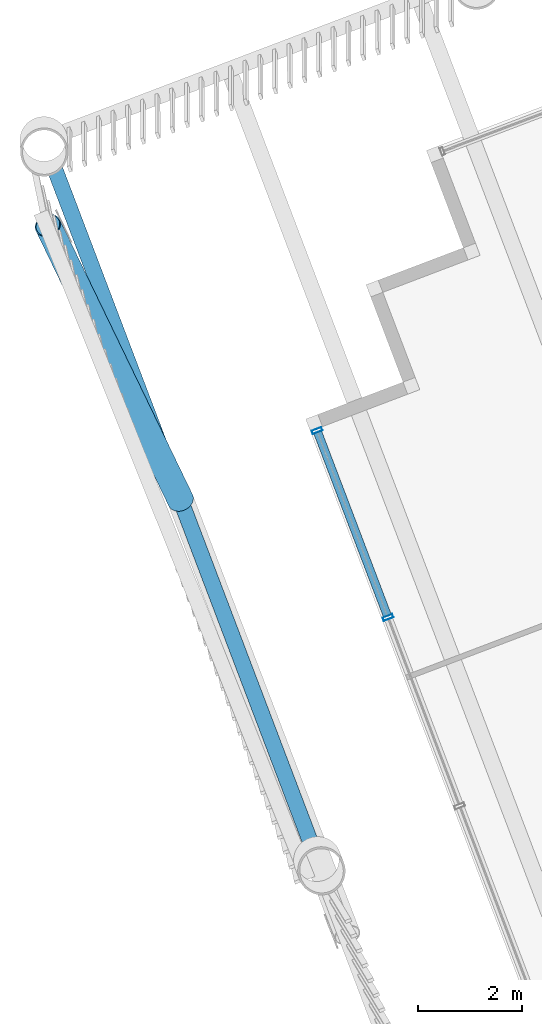
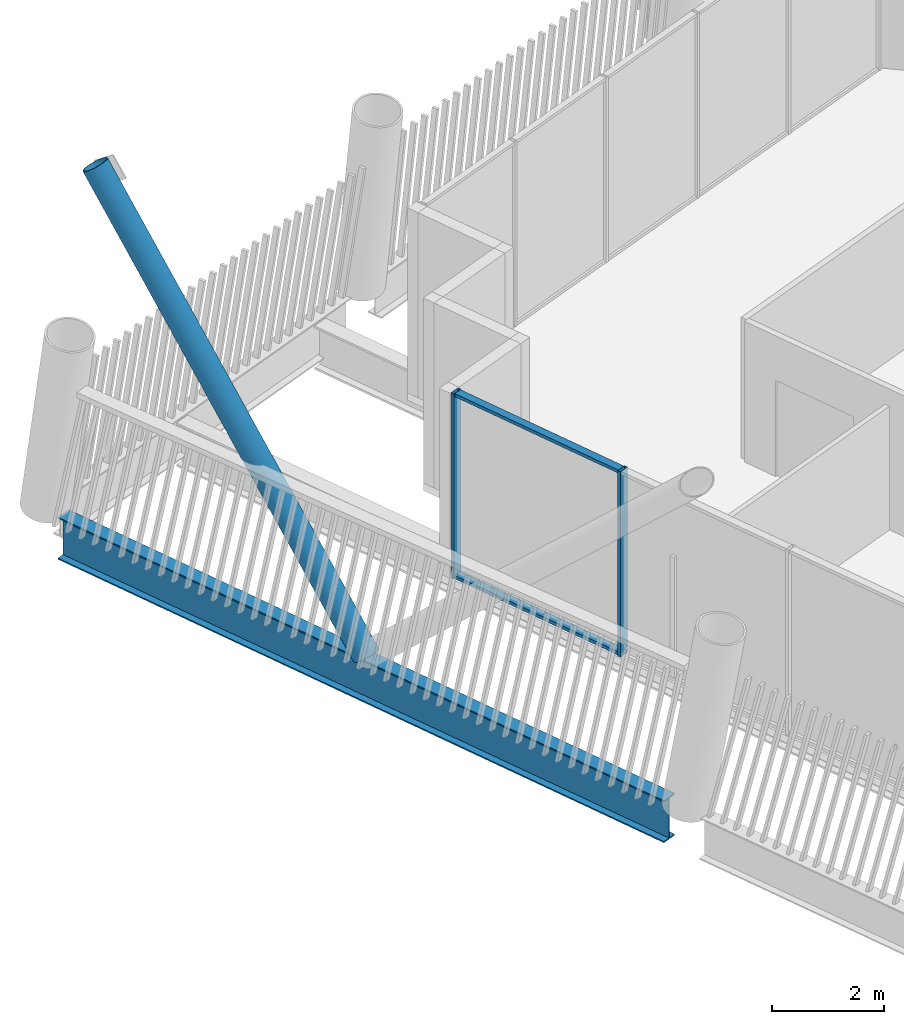
# One storey, part 6 of 33: 5 members, 1 beam, 1 element without a shape of its own.
"""IFC4 building model written with IfcOpenShell, lengths in metres."""

import ifcopenshell
import ifcopenshell.guid

model = None  # the IFC model being written
_history = None  # IfcOwnerHistory: only IFC2X3 demands one
_inside = {}  # id of a spatial element -> (the spatial element, [elements in it])
_under = {}  # id of a project, library or spatial element -> (it, [spatial elements below it])
_declared = {}  # id of a project -> (the project, [libraries it declares])
_typed = {}  # id of a type object -> (the type object, [elements of that type])
_made_of = {}  # id of a material, layer set ... -> (it, [elements and type objects made of it])


def new_model(schema):
    """Start an empty IFC model of exactly this schema.

    Asked for "IFC4X3", IfcOpenShell would pick the latest addendum, in which some entities
    have other attributes; the version numbers below select the first issue.
    IFC2X3 requires an IfcOwnerHistory on every rooted entity: one is made here for all.
    """
    global model, _history
    if schema == "IFC4X3":
        model = ifcopenshell.file(schema_version=(4, 3, 0, 0))
    else:
        model = ifcopenshell.file(schema=schema)
    _inside.clear()
    _under.clear()
    _declared.clear()
    _typed.clear()
    _made_of.clear()
    _history = None
    if model.schema == "IFC2X3":
        org = make("IfcOrganization", Name="unknown")
        user = make(
            "IfcPersonAndOrganization",
            ThePerson=make("IfcPerson", FamilyName="unknown"),
            TheOrganization=org,
        )
        app = make(
            "IfcApplication",
            ApplicationDeveloper=org,
            Version="unknown",
            ApplicationFullName="unknown",
            ApplicationIdentifier="unknown",
        )
        _history = make(
            "IfcOwnerHistory",
            OwningUser=user,
            OwningApplication=app,
            ChangeAction="ADDED",
            CreationDate=0,
        )
    return model


def make(cls, **values):
    """One entity of the class cls with the attributes given. An attribute that is None is left unset."""
    return model.create_entity(
        cls, **{name: value for name, value in values.items() if value is not None}
    )


def rooted(cls, **values):
    """An entity with a GlobalId (a new one), such as an element, a storey or a relation."""
    return make(cls, GlobalId=ifcopenshell.guid.new(), OwnerHistory=_history, **values)


def si_unit(unit_type, name, prefix=None):
    """IfcSIUnit, for example si_unit("LENGTHUNIT", "METRE", prefix="MILLI")."""
    return make("IfcSIUnit", UnitType=unit_type, Prefix=prefix, Name=name)


def assignment(units):
    """IfcUnitAssignment: the units of a project."""
    return None if units is None else make("IfcUnitAssignment", Units=units)


def point(xyz):
    """IfcCartesianPoint."""
    return None if xyz is None else make("IfcCartesianPoint", Coordinates=xyz)


def direction(xyz):
    """IfcDirection."""
    return None if xyz is None else make("IfcDirection", DirectionRatios=xyz)


def frame(location, z_axis=None, x_axis=None):
    """IfcAxis2Placement3D, a coordinate frame: its origin and axes. An axis left out is left unset."""
    return make(
        "IfcAxis2Placement3D",
        Location=point(location),
        Axis=direction(z_axis),
        RefDirection=direction(x_axis),
    )


def frame_2d(location, x_axis=None):
    """IfcAxis2Placement2D, a coordinate frame in the plane: its origin and x axis."""
    return make(
        "IfcAxis2Placement2D", Location=point(location), RefDirection=direction(x_axis)
    )


def origin():
    """The frame at (0, 0, 0) with its axes left unset."""
    return frame((0.0, 0.0, 0.0))


def origin_2d():
    """The frame at (0, 0) in the plane with its x axis left unset."""
    return frame_2d((0.0, 0.0))


def place(relative_to, where):
    """IfcLocalPlacement: puts the frame where relative to a parent placement (None: the world)."""
    return make(
        "IfcLocalPlacement", PlacementRelTo=relative_to, RelativePlacement=where
    )


def context(
    kind, dimensions, precision=None, world=None, true_north=None, identifier=None
):
    """IfcGeometricRepresentationContext, for example the 3D "Model" context."""
    return make(
        "IfcGeometricRepresentationContext",
        ContextIdentifier=identifier,
        ContextType=kind,
        CoordinateSpaceDimension=dimensions,
        Precision=precision,
        WorldCoordinateSystem=world,
        TrueNorth=true_north,
    )


def subcontext(parent, identifier, kind, view, scale=None):
    """IfcGeometricRepresentationSubContext, for example "Body" below "Model"."""
    return make(
        "IfcGeometricRepresentationSubContext",
        ContextIdentifier=identifier,
        ContextType=kind,
        ParentContext=parent,
        TargetScale=scale,
        TargetView=view,
    )


def project(units=None, contexts=None):
    """IfcProject with its units and contexts."""
    return rooted(
        "IfcProject",
        Name="project",
        RepresentationContexts=contexts,
        UnitsInContext=assignment(units),
    )


def spatial(cls, under=None, at=None, **own):
    """A site, building, storey or space (cls), placed at a placement, below another one or the project."""
    s = rooted(cls, ObjectPlacement=at, **own)
    if under is not None:
        _under.setdefault(under.id(), (under, []))[1].append(s)
    return s


def profile(cls, at=None, kind="AREA", **sizes):
    """A parametric profile (cls). Its sizes go by their IFC names, for example OverallWidth=200.0."""
    return make(cls, ProfileType=kind, Position=at, **sizes)


def hollow_rectangle(**sizes):
    """IfcRectangleHollowProfileDef."""
    return profile("IfcRectangleHollowProfileDef", **sizes)


def hollow_circle(**sizes):
    """IfcCircleHollowProfileDef."""
    return profile("IfcCircleHollowProfileDef", **sizes)


def i_section(**sizes):
    """IfcIShapeProfileDef."""
    return profile("IfcIShapeProfileDef", **sizes)


def extrude(swept, where, along, depth):
    """IfcExtrudedAreaSolid: the profile swept, set in the frame where, extruded along a direction by depth."""
    return make(
        "IfcExtrudedAreaSolid",
        SweptArea=swept,
        Position=where,
        ExtrudedDirection=direction(along),
        Depth=depth,
    )


def shape(context_of_items, identifier, shape_type, items):
    """IfcShapeRepresentation: the items that make up one representation, for example the "Body"."""
    return make(
        "IfcShapeRepresentation",
        ContextOfItems=context_of_items,
        RepresentationIdentifier=identifier,
        RepresentationType=shape_type,
        Items=items,
    )


def material(Name=None, Category=None):
    """IfcMaterial."""
    return make("IfcMaterial", Name=Name, Category=Category)


def layer(
    of_material, thickness, ventilated=None, Name=None, Category=None, Priority=None
):
    """IfcMaterialLayer: one layer of a wall or slab, of a material (None: an air gap)."""
    return make(
        "IfcMaterialLayer",
        Material=of_material,
        LayerThickness=thickness,
        IsVentilated=ventilated,
        Name=Name,
        Category=Category,
        Priority=Priority,
    )


def layer_set(layers, Name=None):
    """IfcMaterialLayerSet."""
    return make("IfcMaterialLayerSet", MaterialLayers=layers, LayerSetName=Name)


def material_profile(
    of_material, cross_section, Name=None, Category=None, Priority=None
):
    """IfcMaterialProfile: a cross section and its material."""
    return make(
        "IfcMaterialProfile",
        Name=Name,
        Material=of_material,
        Profile=cross_section,
        Priority=Priority,
        Category=Category,
    )


def profile_set(profiles, Name=None, composite=None):
    """IfcMaterialProfileSet."""
    return make(
        "IfcMaterialProfileSet",
        Name=Name,
        MaterialProfiles=profiles,
        CompositeProfile=composite,
    )


def made_of(thing, what):
    """Note that an element or type object is made of a material, layer set ...; save() writes the relation."""
    if what is not None:
        _made_of.setdefault(what.id(), (what, []))[1].append(thing)
    return thing


def type_object(cls, material=None, **own):
    """A type object (cls), such as IfcWallType, which elements share."""
    return made_of(rooted(cls, **own), material)


def element(
    cls,
    number,
    at=None,
    inside=None,
    cuts=None,
    type_object=None,
    material=None,
    context=None,
    identifier="Body",
    shape_type=None,
    held_by="IfcProductDefinitionShape",
    body=None,
    shapes=None,
    **own,
):
    """One element of the class cls, such as IfcWall. Its Tag is "e" and its number.

    at: its placement. inside: the storey or other place that contains it. cuts: it is an
    opening in that element (IfcRelVoidsElement). A single representation is given by context,
    identifier, shape_type and body (its items); several are given by shapes. held_by: the class
    of the entity that holds the representations. save() writes the other relations.
    """
    e = rooted(cls, Tag="e%d" % number, ObjectPlacement=at, **own)
    if body is not None:
        shapes = [shape(context, identifier, shape_type, body)]
    if shapes is not None:
        e.Representation = make(held_by, Representations=shapes)
    if inside is not None:
        _inside.setdefault(inside.id(), (inside, []))[1].append(e)
    if cuts is not None:
        rooted(
            "IfcRelVoidsElement", RelatingBuildingElement=cuts, RelatedOpeningElement=e
        )
    if type_object is not None:
        _typed.setdefault(type_object.id(), (type_object, []))[1].append(e)
    return made_of(e, material)


def aggregate(whole, parts):
    """IfcRelAggregates: a whole, such as a stair, and the parts it consists of."""
    return rooted("IfcRelAggregates", RelatingObject=whole, RelatedObjects=parts)


def save(model, path):
    """Write the relations noted so far, then the file.

    IfcRelAggregates (storeys below a building ...), IfcRelContainedInSpatialStructure (elements
    in a storey), IfcRelDefinesByType, IfcRelAssociatesMaterial and IfcRelDeclares: one each for
    every whole, place, type object, material and project.
    """
    for whole, parts in _under.values():
        aggregate(whole, parts)
    for where, things in _inside.values():
        rooted(
            "IfcRelContainedInSpatialStructure",
            RelatedElements=things,
            RelatingStructure=where,
        )
    for kind, things in _typed.values():
        rooted("IfcRelDefinesByType", RelatedObjects=things, RelatingType=kind)
    for what, things in _made_of.values():
        rooted("IfcRelAssociatesMaterial", RelatedObjects=things, RelatingMaterial=what)
    for by, libraries in _declared.values():
        rooted("IfcRelDeclares", RelatingContext=by, RelatedDefinitions=libraries)
    model.write(path)


model = new_model("IFC4")

# Units and contexts
model_context = context("Model", 3, precision=1e-05, world=origin(), true_north=direction((0.0, 1.0)))
body_context = subcontext(model_context, "Body", "Model", "MODEL_VIEW")
ifc_project = project(units=[si_unit("LENGTHUNIT", "METRE"), si_unit("AREAUNIT", "SQUARE_METRE"), si_unit("VOLUMEUNIT", "CUBIC_METRE"), si_unit("PLANEANGLEUNIT", "RADIAN"), si_unit("MASSUNIT", "GRAM", prefix="KILO")], contexts=[model_context])

# Site, building, storey
site_placement = place(None, origin())
site = spatial("IfcSite", under=ifc_project, at=site_placement, CompositionType="ELEMENT")
building_placement = place(site_placement, origin())
building = spatial("IfcBuilding", under=site, at=building_placement, Name="Tarsis Ring Headquarters", CompositionType="ELEMENT")
storey_placement = place(building_placement, frame((0.0, 0.0, 369.199951171875)))
storey = spatial("IfcBuildingStorey", under=building, at=storey_placement, Name="L87", CompositionType="ELEMENT", Elevation=369.199951171875)

# Curtain wall, members
ifc_material_1 = material(Name="Aluminium curtain wall", Category="aluminium")
ifc_layer = layer(ifc_material_1, 0.199951171875)
ifc_layer_set = layer_set([ifc_layer], Name="Curtain wall executive tip")
curtain_wall_type = type_object("IfcCurtainWallType", Name="Curtain wall executive tip", PredefinedType="NOTDEFINED", material=ifc_layer_set)
curtain_wall_placement = place(storey_placement, origin())
curtain_wall = element("IfcCurtainWall", 1, at=curtain_wall_placement, inside=storey, type_object=curtain_wall_type, Name="Curtain wall L87-36", PredefinedType="NOTDEFINED")
ifc_material_2 = material(Name="Aluminium mullion", Category="aluminium")
ifc_material_profile_1 = material_profile(ifc_material_2, hollow_rectangle(XDim=0.199951171875, YDim=0.070068359375, WallThickness=0.0048828125, at=origin_2d()), Name="RHS 200x70x5")
ifc_profile_set_1 = profile_set([ifc_material_profile_1], Name="Aluminium mullion")
member_type_1 = type_object("IfcMemberType", Name="Curtain wall mullion executive tip RHS 200x70x5", PredefinedType="MULLION", material=ifc_profile_set_1)
member_1_placement = place(storey_placement, frame((-40.015869140625, -6.94775390625, 0.0), z_axis=(0.0, 0.0, 1.0), x_axis=(0.934825674754, 0.355106966732, 0.0)))
member_1 = element("IfcMember", 2, at=member_1_placement, type_object=member_type_1, Name="CW-E mullion 1", PredefinedType="MULLION", context=body_context, shape_type="SweptSolid", body=[
    extrude(hollow_rectangle(XDim=0.199951171875, YDim=0.070068359375, WallThickness=0.0048828125, at=origin_2d()), origin(), (0.0, 0.0, 1.0), 4.0400390625),
])
member_2_placement = place(storey_placement, frame((-38.652099609375, -10.537353515625, 0.0), z_axis=(0.0, 0.0, 1.0), x_axis=(0.934825674754, 0.355106966732, 0.0)))
member_2 = element("IfcMember", 3, at=member_2_placement, type_object=member_type_1, Name="CW-E mullion 2", PredefinedType="MULLION", context=body_context, shape_type="SweptSolid", body=[
    extrude(hollow_rectangle(XDim=0.199951171875, YDim=0.070068359375, WallThickness=0.0048828125, at=origin_2d()), origin(), (0.0, 0.0, 1.0), 4.0400390625),
])
ifc_material_3 = material(Name="Aluminium transom", Category="aluminium")
ifc_material_profile_2 = material_profile(ifc_material_3, hollow_rectangle(XDim=0.159912109375, YDim=0.070068359375, WallThickness=0.0048828125, at=origin_2d()), Name="RHS 160x70x5")
ifc_profile_set_2 = profile_set([ifc_material_profile_2], Name="Aluminium transom")
member_type_2 = type_object("IfcMemberType", Name="Curtain wall transom executive tip RHS 160x70x5", PredefinedType="USERDEFINED", material=ifc_profile_set_2)
member_3_placement = place(storey_placement, frame((-40.00341796875, -6.98046875, 0.03515625), z_axis=(0.355144194263, -0.934811532493, 0.0), x_axis=(0.934811532493, 0.355144194263, 0.0)))
member_3 = element("IfcMember", 4, at=member_3_placement, type_object=member_type_2, Name="CW-E transom 1.1", ObjectType="TRANSOM", PredefinedType="USERDEFINED", context=body_context, shape_type="SweptSolid", body=[
    extrude(hollow_rectangle(XDim=0.159912109375, YDim=0.070068359375, WallThickness=0.0048828125, at=origin_2d()), origin(), (0.0, 0.0, 1.0), 3.77001953125),
])
member_4_placement = place(storey_placement, frame((-40.00341796875, -6.98046875, 4.005126953125), z_axis=(0.355144194263, -0.934811532493, 0.0), x_axis=(0.934811532493, 0.355144194263, 0.0)))
member_4 = element("IfcMember", 5, at=member_4_placement, type_object=member_type_2, Name="CW-E transom 1.2", ObjectType="TRANSOM", PredefinedType="USERDEFINED", context=body_context, shape_type="SweptSolid", body=[
    extrude(hollow_rectangle(XDim=0.159912109375, YDim=0.070068359375, WallThickness=0.0048828125, at=origin_2d()), origin(), (0.0, 0.0, 1.0), 3.77001953125),
])
aggregate(curtain_wall, [member_1, member_2, member_3, member_4])

# Member
ifc_material_4 = material(Name="Structural steel S355", Category="steel")
ifc_material_profile_3 = material_profile(ifc_material_4, hollow_circle(Radius=0.25390625, WallThickness=0.02001953125, at=origin_2d()), Name="CHS 508x20")
ifc_profile_set_3 = profile_set([ifc_material_profile_3], Name="Structural steel S355")
member_type_3 = type_object("IfcMemberType", Name="XD X brace CHS 508x20", PredefinedType="BRACE", material=ifc_profile_set_3)
member_5_placement = place(storey_placement, frame((-42.638427734375, -8.28076171875, 0.0), z_axis=(-0.248824274581, 0.515122030027, 0.820204715032), x_axis=(-0.900452600941, -0.434954150984, 0.0)))
element("IfcMember", 6, at=member_5_placement, inside=storey, type_object=member_type_3, Name="X brace XD2", PredefinedType="BRACE", context=body_context, shape_type="SweptSolid", body=[
    extrude(hollow_circle(Radius=0.25390625, WallThickness=0.02001953125, at=origin_2d()), origin(), (0.0, 0.0, 1.0), 10.241455078125),
])

# Beam
ifc_material_profile_4 = material_profile(ifc_material_4, i_section(OverallWidth=0.3046875, OverallDepth=0.91943359375, WebThickness=0.017333984375, FlangeThickness=0.02783203125, at=origin_2d()), Name="W36x170")
ifc_profile_set_4 = profile_set([ifc_material_profile_4], Name="Structural steel S355")
beam_type = type_object("IfcBeamType", Name="XG Ring girder W36x170", PredefinedType="BEAM", material=ifc_profile_set_4)
beam_placement = place(storey_placement, frame((-45.1201171875, -1.747802734375, -0.459716796875), z_axis=(0.355107558081, -0.934825450121, 0.0), x_axis=(0.934825450121, 0.355107558081, 0.0)))
element("IfcBeam", 7, at=beam_placement, inside=storey, type_object=beam_type, Name="Ring girder XG4", PredefinedType="BEAM", context=body_context, shape_type="SweptSolid", body=[
    extrude(i_section(OverallWidth=0.3046875, OverallDepth=0.91943359375, WebThickness=0.017333984375, FlangeThickness=0.02783203125, at=origin_2d()), origin(), (0.0, 0.0, 1.0), 13.97705078125),
])

save(model, "model.ifc")
